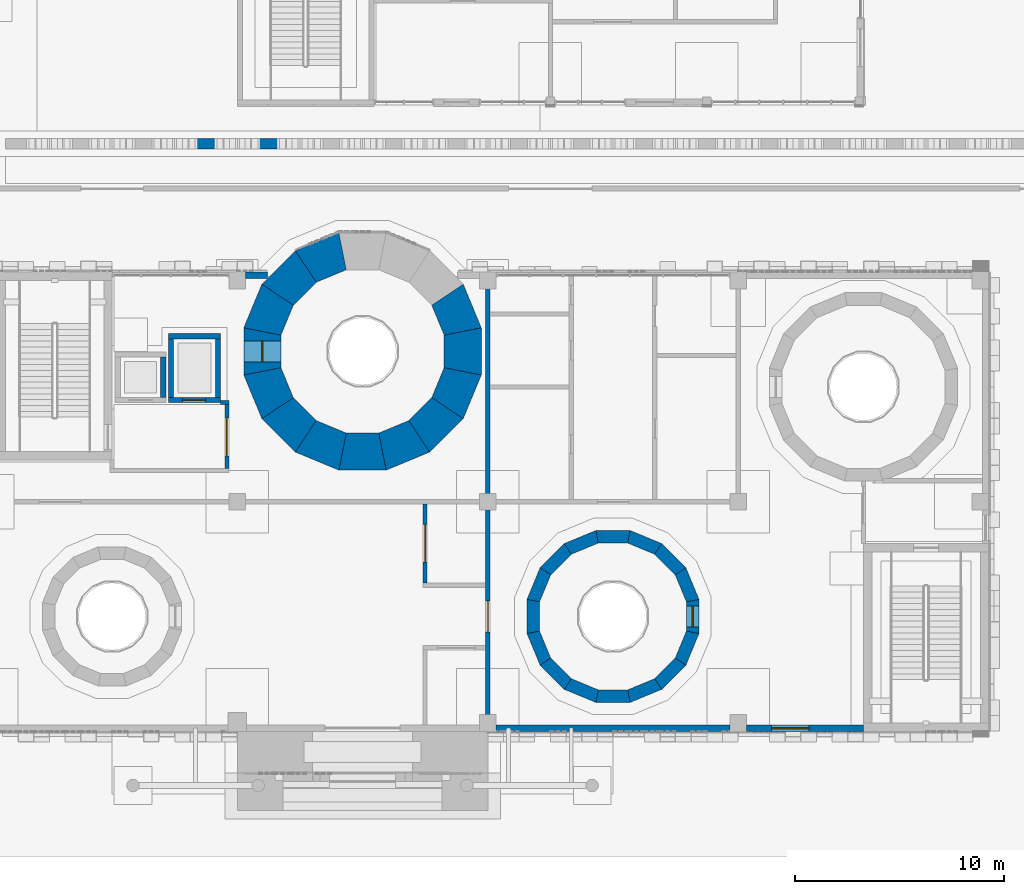
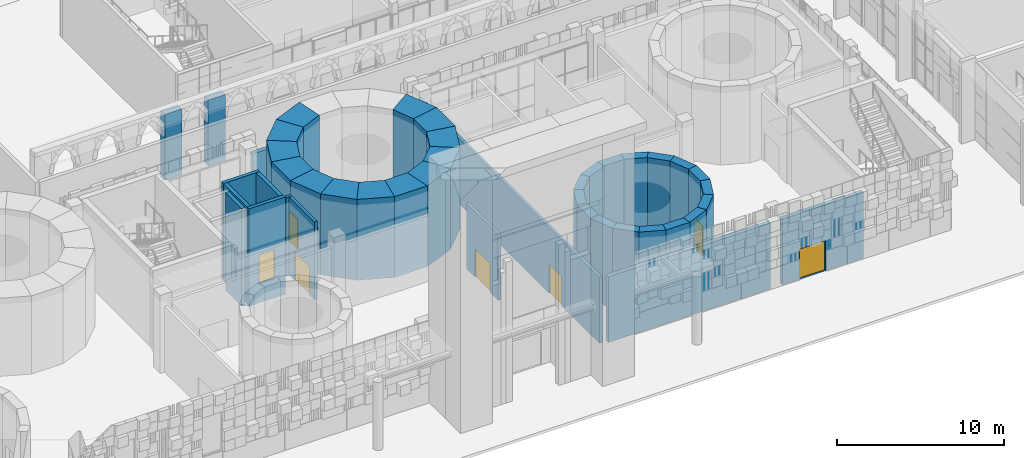
# One storey, part 49 of 125: 43 walls, 7 doors, 7 openings.
"""IFC4 building model written with IfcOpenShell, lengths in metres."""

from ifc_helpers import new_model, si_unit, direction, frame, frame_2d, origin, place, context, subcontext, project, spatial, polyline, rectangle, outline, extrude, material, layer, layer_set, type_object, element, fill, save


model = new_model("IFC4")

# Units and contexts
model_context = context("Model", 3, precision=1e-05, world=origin(), true_north=direction((0.0, 1.0)))
body_context = subcontext(model_context, "Body", "Model", "MODEL_VIEW")
ifc_project = project(units=[si_unit("LENGTHUNIT", "METRE"), si_unit("AREAUNIT", "SQUARE_METRE"), si_unit("VOLUMEUNIT", "CUBIC_METRE"), si_unit("PLANEANGLEUNIT", "RADIAN"), si_unit("MASSUNIT", "GRAM", prefix="KILO")], contexts=[model_context])

# Site, building, storey
site_placement = place(None, origin())
site = spatial("IfcSite", under=ifc_project, at=site_placement, CompositionType="ELEMENT")
building_placement = place(site_placement, origin())
building = spatial("IfcBuilding", under=site, at=building_placement, Name="Sun Court Science Centre", CompositionType="ELEMENT")
storey_placement = place(building_placement, origin())
storey = spatial("IfcBuildingStorey", under=building, at=storey_placement, Name="L00", CompositionType="ELEMENT", Elevation=0.0)

# Walls
ifc_material_1 = material(Name="Concrete C30/37", Category="concrete")
ifc_layer_1 = layer(ifc_material_1, 0.5)
ifc_layer_set_1 = layer_set([ifc_layer_1], Name="Concrete C30/37")
wall_type_1 = type_object("IfcWallType", Name="Arcade pier 500 reinforced", PredefinedType="SOLIDWALL", material=ifc_layer_set_1)
for number, where, z_axis, x_axis, name in (
    (1, (33.89990234375, 34.14990234375, 0.0), (0.0, 0.0, 1.0), (1.0, 0.0, 0.0), "Arcade pier AR1 04"),
    (2, (36.89990234375, 34.14990234375, 0.0), (0.0, 0.0, 1.0), (1.0, 0.0, 0.0), "Arcade pier AR1 05"),
):
    element("IfcWall", number, at=place(storey_placement, frame(where, z_axis=z_axis, x_axis=x_axis)), inside=storey, type_object=wall_type_1, Name=name, PredefinedType="SOLIDWALL", context=body_context, shape_type="SweptSolid", body=[
        extrude(rectangle(XDim=1.2001953125, YDim=0.5, at=frame_2d((0.60009765625, 0.0))), origin(), (0.0, 0.0, 1.0), 4.800048828125),
    ])

# Wall, opening, door
ifc_material_2 = material(Name="Clay masonry", Category="masonry")
ifc_layer_2 = layer(ifc_material_2, 0.300048828125)
ifc_layer_set_2 = layer_set([ifc_layer_2], Name="Clay masonry")
wall_type_2 = type_object("IfcWallType", Name="Clay masonry infill wall 300", PredefinedType="SOLIDWALL", material=ifc_layer_set_2)
wall_1_placement = place(storey_placement, frame((66.0, 6.14990234375, 0.0), z_axis=(0.0, 0.0, 1.0), x_axis=(-1.0, 0.0, 0.0)))
wall_1 = element("IfcWall", 3, at=wall_1_placement, inside=storey, type_object=wall_type_2, Name="External infill wall L00 south face 01", PredefinedType="SOLIDWALL", context=body_context, shape_type="SweptSolid", body=[
    extrude(rectangle(XDim=5.60009765625, YDim=0.300048828125, at=frame_2d((2.800048828125, 0.0))), origin(), (0.0, 0.0, 1.0), 4.800048828125),
])
opening_1_placement = place(wall_1_placement, frame((2.60009765625, 0.0, 0.0)))
opening_1 = element("IfcOpeningElement", 4, at=opening_1_placement, cuts=wall_1, Name="Opening D-L00-029", PredefinedType="OPENING", context=body_context, shape_type="SweptSolid", body=[
    extrude(rectangle(XDim=1.800048828125, YDim=2.199951171875, at=frame_2d((0.89990234375, 1.10009765625))), frame((0.0, 0.159912109375, 0.0), z_axis=(0.0, -1.0, 0.0), x_axis=(1.0, 0.0, 0.0)), (0.0, 0.0, 1.0), 0.320068359375),
])
ifc_material_3 = material(Name="Steel and glass", Category="steel")
door_type_1 = type_object("IfcDoorType", Name="Exterior door 1800 x 2200 double", OperationType="DOUBLE_DOOR_SINGLE_SWING", PredefinedType="DOOR", material=ifc_material_3)
door_1_placement = place(opening_1_placement, origin())
door_1 = element("IfcDoor", 5, at=door_1_placement, inside=storey, type_object=door_type_1, Name="Exterior door D-L00-029 to the street forecourt", OperationType="SINGLE_SWING_LEFT", OverallHeight=2.199951171875, OverallWidth=1.800048828125, PredefinedType="DOOR", context=body_context, shape_type="SweptSolid", body=[
    extrude(rectangle(XDim=1.800048828125, YDim=2.199951171875, at=frame_2d((0.89990234375, 1.10009765625))), frame((0.0, 0.02490234375, 0.0), z_axis=(0.0, -1.0, 0.0), x_axis=(1.0, 0.0, 0.0)), (0.0, 0.0, 1.0), 0.050048828125),
])
fill(opening_1, door_1)

# Walls
wall_2_placement = place(storey_placement, frame((59.60009765625, 6.14990234375, 0.0), z_axis=(0.0, 0.0, 1.0), x_axis=(-1.0, 0.0, 0.0)))
element("IfcWall", 6, at=wall_2_placement, inside=storey, type_object=wall_type_2, Name="External infill wall L00 south face 02", PredefinedType="SOLIDWALL", context=body_context, shape_type="SweptSolid", body=[
    extrude(rectangle(XDim=11.2001953125, YDim=0.300048828125, at=frame_2d((5.60009765625, 0.0))), origin(), (0.0, 0.0, 1.0), 4.800048828125),
])
wall_3_placement = place(storey_placement, frame((36.39990234375, 27.85009765625, 0.0), z_axis=(0.0, 0.0, 1.0), x_axis=(1.0, 0.0, 0.0)))
element("IfcWall", 7, at=wall_3_placement, inside=storey, type_object=wall_type_2, Name="External infill wall L00 north face 04", PredefinedType="SOLIDWALL", context=body_context, shape_type="SweptSolid", body=[
    extrude(rectangle(XDim=1.05517578125, YDim=0.300048828125, at=frame_2d((0.527587890625, 0.0))), origin(), (0.0, 0.0, 1.0), 4.800048828125),
])
ifc_material_4 = material(Name="Concrete block", Category="concrete")
ifc_layer_3 = layer(ifc_material_4, 0.199951171875)
ifc_layer_set_3 = layer_set([ifc_layer_3], Name="Concrete block")
wall_type_3 = type_object("IfcWallType", Name="Partition 200 block EI60", PredefinedType="PARTITIONING", material=ifc_layer_set_3)
wall_4_placement = place(storey_placement, frame((35.201904296875, 21.75, 0.0), z_axis=(0.0, 0.0, 1.0), x_axis=(1.0, 0.0, 0.0)))
element("IfcWall", 8, at=wall_4_placement, inside=storey, type_object=wall_type_3, Name="L00 partition 007", PredefinedType="PARTITIONING", context=body_context, shape_type="SweptSolid", body=[
    extrude(rectangle(XDim=0.398193359375, YDim=0.199951171875, at=frame_2d((0.19921875, 0.0))), origin(), (0.0, 0.0, 1.0), 5.699951171875),
])

# Wall, opening, door
wall_5_placement = place(storey_placement, frame((35.5, 21.64990234375, 0.0), z_axis=(0.0, 0.0, 1.0), x_axis=(0.0, -1.0, 0.0)))
wall_5 = element("IfcWall", 9, at=wall_5_placement, inside=storey, type_object=wall_type_3, Name="L00 partition 019", PredefinedType="PARTITIONING", context=body_context, shape_type="SweptSolid", body=[
    extrude(rectangle(XDim=3.0498046875, YDim=0.199951171875, at=frame_2d((1.52490234375, 0.0))), origin(), (0.0, 0.0, 1.0), 5.699951171875),
])
opening_2_placement = place(wall_5_placement, frame((0.64990234375, 0.0, 0.0)))
opening_2 = element("IfcOpeningElement", 10, at=opening_2_placement, cuts=wall_5, Name="Opening D-L00-011", PredefinedType="OPENING", context=body_context, shape_type="SweptSolid", body=[
    extrude(rectangle(XDim=1.800048828125, YDim=2.10009765625, at=frame_2d((0.89990234375, 1.050048828125))), frame((0.0, 0.10986328125, 0.0), z_axis=(0.0, -1.0, 0.0), x_axis=(1.0, 0.0, 0.0)), (0.0, 0.0, 1.0), 0.219970703125),
])
ifc_material_5 = material(Name="Steel", Category="steel")
door_type_2 = type_object("IfcDoorType", Name="Door 1800x2100 double leaf FD60", OperationType="DOUBLE_DOOR_SINGLE_SWING", PredefinedType="DOOR", material=ifc_material_5)
door_2_placement = place(opening_2_placement, origin())
door_2 = element("IfcDoor", 11, at=door_2_placement, inside=storey, type_object=door_type_2, Name="Door D-L00-011", OperationType="DOUBLE_DOOR_SINGLE_SWING", OverallHeight=2.10009765625, OverallWidth=1.800048828125, PredefinedType="DOOR", context=body_context, shape_type="SweptSolid", body=[
    extrude(rectangle(XDim=1.800048828125, YDim=2.10009765625, at=frame_2d((0.89990234375, 1.050048828125))), frame((0.0, 0.02490234375, 0.0), z_axis=(0.0, -1.0, 0.0), x_axis=(1.0, 0.0, 0.0)), (0.0, 0.0, 1.0), 0.050048828125),
])
fill(opening_2, door_2)

ifc_material_6 = material(Name="Gypsum board")
ifc_layer_4 = layer(ifc_material_6, 0.199951171875)
ifc_layer_set_4 = layer_set([ifc_layer_4], Name="Gypsum board")
wall_type_4 = type_object("IfcWallType", Name="Partition 200 stud EI30", PredefinedType="PARTITIONING", material=ifc_layer_set_4)
wall_6_placement = place(storey_placement, frame((48.0, 27.800048828125, 0.0), z_axis=(0.0, 0.0, 1.0), x_axis=(0.0, -1.0, 0.0)))
wall_6 = element("IfcWall", 12, at=wall_6_placement, inside=storey, type_object=wall_type_4, Name="L00 partition 016", PredefinedType="PARTITIONING", context=body_context, shape_type="SweptSolid", body=[
    extrude(rectangle(XDim=21.60009765625, YDim=0.199951171875, at=frame_2d((10.800048828125, 0.0))), origin(), (0.0, 0.0, 1.0), 4.800048828125),
])
opening_3_placement = place(wall_6_placement, frame((15.550048828125, 0.0, 0.0)))
opening_3 = element("IfcOpeningElement", 13, at=opening_3_placement, cuts=wall_6, Name="Opening D-L00-019", PredefinedType="OPENING", context=body_context, shape_type="SweptSolid", body=[
    extrude(rectangle(XDim=1.5, YDim=2.10009765625, at=frame_2d((0.75, 1.050048828125))), frame((0.0, 0.10986328125, 0.0), z_axis=(0.0, -1.0, 0.0), x_axis=(1.0, 0.0, 0.0)), (0.0, 0.0, 1.0), 0.219970703125),
])
ifc_material_7 = material(Name="Timber", Category="wood")
door_type_3 = type_object("IfcDoorType", Name="Door 1500x2100 double leaf", OperationType="DOUBLE_DOOR_SINGLE_SWING", PredefinedType="DOOR", material=ifc_material_7)
door_3_placement = place(opening_3_placement, origin())
door_3 = element("IfcDoor", 14, at=door_3_placement, inside=storey, type_object=door_type_3, Name="Door D-L00-019", OperationType="DOUBLE_DOOR_SINGLE_SWING", OverallHeight=2.10009765625, OverallWidth=1.5, PredefinedType="DOOR", context=body_context, shape_type="SweptSolid", body=[
    extrude(rectangle(XDim=1.5, YDim=2.10009765625, at=frame_2d((0.75, 1.050048828125))), frame((0.0, 0.02490234375, 0.0), z_axis=(0.0, -1.0, 0.0), x_axis=(1.0, 0.0, 0.0)), (0.0, 0.0, 1.0), 0.050048828125),
])
fill(opening_3, door_3)

wall_7_placement = place(storey_placement, frame((45.0, 13.10009765625, 0.0), z_axis=(0.0, 0.0, 1.0), x_axis=(0.0, 1.0, 0.0)))
wall_7 = element("IfcWall", 15, at=wall_7_placement, inside=storey, type_object=wall_type_4, Name="L00 partition 018", PredefinedType="PARTITIONING", context=body_context, shape_type="SweptSolid", body=[
    extrude(rectangle(XDim=3.7998046875, YDim=0.199951171875, at=frame_2d((1.89990234375, 0.0))), origin(), (0.0, 0.0, 1.0), 4.800048828125),
])
opening_4_placement = place(wall_7_placement, frame((1.0, 0.0, 0.0)))
opening_4 = element("IfcOpeningElement", 16, at=opening_4_placement, cuts=wall_7, Name="Opening D-L00-017", PredefinedType="OPENING", context=body_context, shape_type="SweptSolid", body=[
    extrude(rectangle(XDim=1.800048828125, YDim=2.10009765625, at=frame_2d((0.89990234375, 1.050048828125))), frame((0.0, 0.10986328125, 0.0), z_axis=(0.0, -1.0, 0.0), x_axis=(1.0, 0.0, 0.0)), (0.0, 0.0, 1.0), 0.219970703125),
])
ifc_material_8 = material(Name="Timber", Category="wood")
door_type_4 = type_object("IfcDoorType", Name="Door 1800x2100 double leaf", OperationType="DOUBLE_DOOR_SINGLE_SWING", PredefinedType="DOOR", material=ifc_material_8)
door_4_placement = place(opening_4_placement, origin())
door_4 = element("IfcDoor", 17, at=door_4_placement, inside=storey, type_object=door_type_4, Name="Door D-L00-017", OperationType="DOUBLE_DOOR_SINGLE_SWING", OverallHeight=2.10009765625, OverallWidth=1.800048828125, PredefinedType="DOOR", context=body_context, shape_type="SweptSolid", body=[
    extrude(rectangle(XDim=1.800048828125, YDim=2.10009765625, at=frame_2d((0.89990234375, 1.050048828125))), frame((0.0, 0.02490234375, 0.0), z_axis=(0.0, -1.0, 0.0), x_axis=(1.0, 0.0, 0.0)), (0.0, 0.0, 1.0), 0.050048828125),
])
fill(opening_4, door_4)

# Walls
ifc_material_9 = material(Name="Concrete C30/37", Category="concrete")
ifc_layer_5 = layer(ifc_material_9, 1.777099609375)
ifc_layer_set_5 = layer_set([ifc_layer_5], Name="Concrete C30/37")
wall_type_5 = type_object("IfcWallType", Name="RC cone ring wall 1777", PredefinedType="SHEAR", material=ifc_layer_set_5)
for number, where, z_axis, x_axis, name in (
    (18, (46.86767578125, 24.991455078125, -0.199951171875), (0.0, 0.0, 1.0), (-0.382653510256, 0.923891926087, 0.0), "Cone 4 ring wall L00 segment 1"),
    (19, (41.20849609375, 29.067626953125, -0.199951171875), (0.0, 0.0, 1.0), (-0.923891926087, -0.382653510256, 0.0), "Cone 4 ring wall L00 segment 5"),
):
    element("IfcWall", number, at=place(storey_placement, frame(where, z_axis=z_axis, x_axis=x_axis)), inside=storey, type_object=wall_type_5, Name=name, PredefinedType="SHEAR", context=body_context, shape_type="SweptSolid", body=[
        extrude(outline(polyline([(0.0, -0.888671875), (2.26318359375, -0.888427734375), (1.90966796875, 0.888427734375), (0.353515625, 0.888427734375), (0.0, -0.888671875)])), origin(), (0.0, 0.0, 1.0), 5.89990234375),
    ])
wall_8_placement = place(storey_placement, frame((39.406005859375, 28.394287109375, -0.199951171875), z_axis=(0.0, 0.0, 1.0), x_axis=(-0.707106781187, -0.707106781187, 0.0)))
element("IfcWall", 20, at=wall_8_placement, inside=storey, type_object=wall_type_5, Name="Cone 4 ring wall L00 segment 6", PredefinedType="SHEAR", context=body_context, shape_type="SweptSolid", body=[
    extrude(outline(polyline([(0.000244140625, -0.888427734375), (2.262939453125, -0.888427734375), (1.90966796875, 0.888427734375), (0.353515625, 0.888427734375), (0.000244140625, -0.888427734375)])), origin(), (0.0, 0.0, 1.0), 5.89990234375),
])
wall_9_placement = place(storey_placement, frame((37.998291015625, 27.082275390625, -0.199951171875), z_axis=(0.0, 0.0, 1.0), x_axis=(-0.382653510256, -0.923891926087, 0.0)))
element("IfcWall", 21, at=wall_9_placement, inside=storey, type_object=wall_type_5, Name="Cone 4 ring wall L00 segment 7", PredefinedType="SHEAR", context=body_context, shape_type="SweptSolid", body=[
    extrude(outline(polyline([(-0.000244140625, -0.888427734375), (2.262939453125, -0.888671875), (1.90966796875, 0.888427734375), (0.353515625, 0.888427734375), (-0.000244140625, -0.888427734375)])), origin(), (0.0, 0.0, 1.0), 5.89990234375),
])

# Wall, opening, door
wall_10_placement = place(storey_placement, frame((37.199951171875, 25.33154296875, -0.199951171875), z_axis=(0.0, 0.0, 1.0), x_axis=(0.0, -1.0, 0.0)))
wall_10 = element("IfcWall", 22, at=wall_10_placement, inside=storey, type_object=wall_type_5, Name="Cone 4 ring wall L00 segment 8", PredefinedType="SHEAR", context=body_context, shape_type="SweptSolid", body=[
    extrude(outline(polyline([(0.0, -0.888671875), (2.262939453125, -0.888671875), (1.90966796875, 0.888427734375), (0.353515625, 0.888427734375), (0.0, -0.888671875)])), origin(), (0.0, 0.0, 1.0), 5.89990234375),
])
opening_5_placement = place(wall_10_placement, frame((0.631591796875, 0.0, 0.199951171875)))
opening_5 = element("IfcOpeningElement", 23, at=opening_5_placement, cuts=wall_10, Name="Opening D-L00-024", PredefinedType="OPENING", context=body_context, shape_type="SweptSolid", body=[
    extrude(rectangle(XDim=1.0, YDim=2.199951171875, at=frame_2d((0.5, 1.10009765625))), frame((0.0, 0.8984375, 0.0), z_axis=(0.0, -1.0, 0.0), x_axis=(1.0, 0.0, 0.0)), (0.0, 0.0, 1.0), 1.796875),
])
ifc_material_10 = material(Name="Timber", Category="wood")
door_type_5 = type_object("IfcDoorType", Name="Door 1000x2200 single leaf", OperationType="NOTDEFINED", PredefinedType="DOOR", material=ifc_material_10)
door_5_placement = place(opening_5_placement, origin())
door_5 = element("IfcDoor", 24, at=door_5_placement, inside=storey, type_object=door_type_5, Name="Door D-L00-024", OperationType="SINGLE_SWING_LEFT", OverallHeight=2.199951171875, OverallWidth=1.0, PredefinedType="DOOR", context=body_context, shape_type="SweptSolid", body=[
    extrude(rectangle(XDim=1.0, YDim=2.199951171875, at=frame_2d((0.5, 1.10009765625))), frame((0.0, 0.02490234375, 0.0), z_axis=(0.0, -1.0, 0.0), x_axis=(1.0, 0.0, 0.0)), (0.0, 0.0, 1.0), 0.050048828125),
])
fill(opening_5, door_5)

# Walls
wall_11_placement = place(storey_placement, frame((37.13232421875, 23.408447265625, -0.199951171875), z_axis=(0.0, 0.0, 1.0), x_axis=(0.382653510256, -0.923891926087, 0.0)))
element("IfcWall", 25, at=wall_11_placement, inside=storey, type_object=wall_type_5, Name="Cone 4 ring wall L00 segment 9", PredefinedType="SHEAR", context=body_context, shape_type="SweptSolid", body=[
    extrude(outline(polyline([(-0.000244140625, -0.888671875), (2.262939453125, -0.888427734375), (1.90966796875, 0.888427734375), (0.353515625, 0.888427734375), (-0.000244140625, -0.888671875)])), origin(), (0.0, 0.0, 1.0), 5.89990234375),
])
wall_12_placement = place(storey_placement, frame((37.8056640625, 21.60595703125, -0.199951171875), z_axis=(0.0, 0.0, 1.0), x_axis=(0.707106781187, -0.707106781187, 0.0)))
element("IfcWall", 26, at=wall_12_placement, inside=storey, type_object=wall_type_5, Name="Cone 4 ring wall L00 segment 10", PredefinedType="SHEAR", context=body_context, shape_type="SweptSolid", body=[
    extrude(outline(polyline([(0.0, -0.888427734375), (2.262939453125, -0.888427734375), (1.90966796875, 0.888427734375), (0.353515625, 0.888427734375), (0.0, -0.888427734375)])), origin(), (0.0, 0.0, 1.0), 5.89990234375),
])
wall_13_placement = place(storey_placement, frame((39.11767578125, 20.1982421875, -0.199951171875), z_axis=(0.0, 0.0, 1.0), x_axis=(0.923891926087, -0.382653510256, 0.0)))
element("IfcWall", 27, at=wall_13_placement, inside=storey, type_object=wall_type_5, Name="Cone 4 ring wall L00 segment 11", PredefinedType="SHEAR", context=body_context, shape_type="SweptSolid", body=[
    extrude(outline(polyline([(-0.000244140625, -0.888427734375), (2.262939453125, -0.888427734375), (1.90966796875, 0.888427734375), (0.353515625, 0.888427734375), (-0.000244140625, -0.888427734375)])), origin(), (0.0, 0.0, 1.0), 5.89990234375),
])
wall_14_placement = place(storey_placement, frame((40.868408203125, 19.39990234375, -0.199951171875), z_axis=(0.0, 0.0, 1.0), x_axis=(1.0, 0.0, 0.0)))
element("IfcWall", 28, at=wall_14_placement, inside=storey, type_object=wall_type_5, Name="Cone 4 ring wall L00 segment 12", PredefinedType="SHEAR", context=body_context, shape_type="SweptSolid", body=[
    extrude(outline(polyline([(0.0, -0.888427734375), (2.26318359375, -0.888427734375), (1.90966796875, 0.888427734375), (0.353515625, 0.888427734375), (0.0, -0.888427734375)])), origin(), (0.0, 0.0, 1.0), 5.89990234375),
])
for number, where, z_axis, x_axis, name in (
    (29, (42.79150390625, 19.332275390625, -0.199951171875), (0.0, 0.0, 1.0), (0.923891926087, 0.382653510256, 0.0), "Cone 4 ring wall L00 segment 13"),
    (30, (44.593994140625, 20.005615234375, -0.199951171875), (0.0, 0.0, 1.0), (0.707106781187, 0.707106781187, 0.0), "Cone 4 ring wall L00 segment 14"),
):
    element("IfcWall", number, at=place(storey_placement, frame(where, z_axis=z_axis, x_axis=x_axis)), inside=storey, type_object=wall_type_5, Name=name, PredefinedType="SHEAR", context=body_context, shape_type="SweptSolid", body=[
        extrude(outline(polyline([(0.000244140625, -0.888427734375), (2.26318359375, -0.888427734375), (1.90966796875, 0.888427734375), (0.353515625, 0.888427734375), (0.000244140625, -0.888427734375)])), origin(), (0.0, 0.0, 1.0), 5.89990234375),
    ])
wall_15_placement = place(storey_placement, frame((46.001708984375, 21.317626953125, -0.199951171875), z_axis=(0.0, 0.0, 1.0), x_axis=(0.382653510256, 0.923891926087, 0.0)))
element("IfcWall", 31, at=wall_15_placement, inside=storey, type_object=wall_type_5, Name="Cone 4 ring wall L00 segment 15", PredefinedType="SHEAR", context=body_context, shape_type="SweptSolid", body=[
    extrude(outline(polyline([(0.0, -0.888427734375), (2.26318359375, -0.888671875), (1.90966796875, 0.888427734375), (0.353515625, 0.888427734375), (0.0, -0.888427734375)])), origin(), (0.0, 0.0, 1.0), 5.89990234375),
])
wall_16_placement = place(storey_placement, frame((46.800048828125, 23.068359375, -0.199951171875), z_axis=(0.0, 0.0, 1.0), x_axis=(0.0, 1.0, 0.0)))
element("IfcWall", 32, at=wall_16_placement, inside=storey, type_object=wall_type_5, Name="Cone 4 ring wall L00 segment 16", PredefinedType="SHEAR", context=body_context, shape_type="SweptSolid", body=[
    extrude(outline(polyline([(0.000244140625, -0.888671875), (2.26318359375, -0.888671875), (1.90966796875, 0.888427734375), (0.353515625, 0.888427734375), (0.000244140625, -0.888671875)])), origin(), (0.0, 0.0, 1.0), 5.89990234375),
])
ifc_material_11 = material(Name="Concrete C30/37", Category="concrete")
ifc_layer_6 = layer(ifc_material_11, 0.60009765625)
ifc_layer_set_6 = layer_set([ifc_layer_6], Name="Concrete C30/37")
wall_type_6 = type_object("IfcWallType", Name="RC cone ring wall 600", PredefinedType="SHEAR", material=ifc_layer_set_6)
wall_17_placement = place(storey_placement, frame((57.842041015625, 12.20458984375, -0.199951171875), z_axis=(0.0, 0.0, 1.0), x_axis=(-0.382614973625, 0.923907886078, 0.0)))
element("IfcWall", 33, at=wall_17_placement, inside=storey, type_object=wall_type_6, Name="Cone 5 ring wall L00 segment 1", PredefinedType="SHEAR", context=body_context, shape_type="SweptSolid", body=[
    extrude(outline(polyline([(0.0, -0.300048828125), (1.638916015625, -0.300048828125), (1.519287109375, 0.30029296875), (0.119140625, 0.300048828125), (0.0, -0.300048828125)])), origin(), (0.0, 0.0, 1.0), 5.89990234375),
])
wall_18_placement = place(storey_placement, frame((57.280029296875, 13.621337890625, -0.199951171875), z_axis=(0.0, 0.0, 1.0), x_axis=(-0.707106781187, 0.707106781187, 0.0)))
element("IfcWall", 34, at=wall_18_placement, inside=storey, type_object=wall_type_6, Name="Cone 5 ring wall L00 segment 2", PredefinedType="SHEAR", context=body_context, shape_type="SweptSolid", body=[
    extrude(outline(polyline([(0.0, -0.300048828125), (1.638671875, -0.300048828125), (1.519287109375, 0.30029296875), (0.119384765625, 0.30029296875), (0.0, -0.300048828125)])), origin(), (0.0, 0.0, 1.0), 5.89990234375),
])
wall_19_placement = place(storey_placement, frame((56.218505859375, 14.715087890625, -0.199951171875), z_axis=(0.0, 0.0, 1.0), x_axis=(-0.923907886078, 0.382614973625, 0.0)))
element("IfcWall", 35, at=wall_19_placement, inside=storey, type_object=wall_type_6, Name="Cone 5 ring wall L00 segment 3", PredefinedType="SHEAR", context=body_context, shape_type="SweptSolid", body=[
    extrude(outline(polyline([(-0.000244140625, -0.300048828125), (1.638671875, -0.300048828125), (1.519287109375, 0.300048828125), (0.119384765625, 0.30029296875), (-0.000244140625, -0.300048828125)])), origin(), (0.0, 0.0, 1.0), 5.89990234375),
])
wall_20_placement = place(storey_placement, frame((54.8193359375, 15.3193359375, -0.199951171875), z_axis=(0.0, 0.0, 1.0), x_axis=(-1.0, 0.0, 0.0)))
element("IfcWall", 36, at=wall_20_placement, inside=storey, type_object=wall_type_6, Name="Cone 5 ring wall L00 segment 4", PredefinedType="SHEAR", context=body_context, shape_type="SweptSolid", body=[
    extrude(outline(polyline([(0.0, -0.300048828125), (1.638671875, -0.300048828125), (1.519287109375, 0.300048828125), (0.119384765625, 0.300048828125), (0.0, -0.300048828125)])), origin(), (0.0, 0.0, 1.0), 5.89990234375),
])
wall_21_placement = place(storey_placement, frame((53.29541015625, 15.342041015625, -0.199951171875), z_axis=(0.0, 0.0, 1.0), x_axis=(-0.923907886078, -0.382614973625, 0.0)))
element("IfcWall", 37, at=wall_21_placement, inside=storey, type_object=wall_type_6, Name="Cone 5 ring wall L00 segment 5", PredefinedType="SHEAR", context=body_context, shape_type="SweptSolid", body=[
    extrude(outline(polyline([(0.0, -0.300048828125), (1.638916015625, -0.300048828125), (1.519287109375, 0.30029296875), (0.119140625, 0.300048828125), (0.0, -0.300048828125)])), origin(), (0.0, 0.0, 1.0), 5.89990234375),
])
wall_22_placement = place(storey_placement, frame((51.878662109375, 14.780029296875, -0.199951171875), z_axis=(0.0, 0.0, 1.0), x_axis=(-0.707106781187, -0.707106781187, 0.0)))
element("IfcWall", 38, at=wall_22_placement, inside=storey, type_object=wall_type_6, Name="Cone 5 ring wall L00 segment 6", PredefinedType="SHEAR", context=body_context, shape_type="SweptSolid", body=[
    extrude(outline(polyline([(0.0, -0.300048828125), (1.638671875, -0.300048828125), (1.519287109375, 0.30029296875), (0.119384765625, 0.30029296875), (0.0, -0.300048828125)])), origin(), (0.0, 0.0, 1.0), 5.89990234375),
])
wall_23_placement = place(storey_placement, frame((50.784912109375, 13.718505859375, -0.199951171875), z_axis=(0.0, 0.0, 1.0), x_axis=(-0.382614973625, -0.923907886078, 0.0)))
element("IfcWall", 39, at=wall_23_placement, inside=storey, type_object=wall_type_6, Name="Cone 5 ring wall L00 segment 7", PredefinedType="SHEAR", context=body_context, shape_type="SweptSolid", body=[
    extrude(outline(polyline([(-0.000244140625, -0.300048828125), (1.638671875, -0.300048828125), (1.519287109375, 0.300048828125), (0.119384765625, 0.30029296875), (-0.000244140625, -0.300048828125)])), origin(), (0.0, 0.0, 1.0), 5.89990234375),
])
wall_24_placement = place(storey_placement, frame((50.1806640625, 12.3193359375, -0.199951171875), z_axis=(0.0, 0.0, 1.0), x_axis=(0.0, -1.0, 0.0)))
element("IfcWall", 40, at=wall_24_placement, inside=storey, type_object=wall_type_6, Name="Cone 5 ring wall L00 segment 8", PredefinedType="SHEAR", context=body_context, shape_type="SweptSolid", body=[
    extrude(outline(polyline([(0.0, -0.300048828125), (1.638671875, -0.300048828125), (1.519287109375, 0.300048828125), (0.119384765625, 0.300048828125), (0.0, -0.300048828125)])), origin(), (0.0, 0.0, 1.0), 5.89990234375),
])
wall_25_placement = place(storey_placement, frame((50.157958984375, 10.79541015625, -0.199951171875), z_axis=(0.0, 0.0, 1.0), x_axis=(0.382614973625, -0.923907886078, 0.0)))
element("IfcWall", 41, at=wall_25_placement, inside=storey, type_object=wall_type_6, Name="Cone 5 ring wall L00 segment 9", PredefinedType="SHEAR", context=body_context, shape_type="SweptSolid", body=[
    extrude(outline(polyline([(0.0, -0.300048828125), (1.638916015625, -0.300048828125), (1.519287109375, 0.30029296875), (0.119140625, 0.300048828125), (0.0, -0.300048828125)])), origin(), (0.0, 0.0, 1.0), 5.89990234375),
])
wall_26_placement = place(storey_placement, frame((50.719970703125, 9.378662109375, -0.199951171875), z_axis=(0.0, 0.0, 1.0), x_axis=(0.707106781187, -0.707106781187, 0.0)))
element("IfcWall", 42, at=wall_26_placement, inside=storey, type_object=wall_type_6, Name="Cone 5 ring wall L00 segment 10", PredefinedType="SHEAR", context=body_context, shape_type="SweptSolid", body=[
    extrude(outline(polyline([(0.0, -0.300048828125), (1.638671875, -0.300048828125), (1.519287109375, 0.30029296875), (0.119384765625, 0.30029296875), (0.0, -0.300048828125)])), origin(), (0.0, 0.0, 1.0), 5.89990234375),
])
wall_27_placement = place(storey_placement, frame((51.781494140625, 8.284912109375, -0.199951171875), z_axis=(0.0, 0.0, 1.0), x_axis=(0.923907886078, -0.382614973625, 0.0)))
element("IfcWall", 43, at=wall_27_placement, inside=storey, type_object=wall_type_6, Name="Cone 5 ring wall L00 segment 11", PredefinedType="SHEAR", context=body_context, shape_type="SweptSolid", body=[
    extrude(outline(polyline([(-0.000244140625, -0.300048828125), (1.638671875, -0.300048828125), (1.519287109375, 0.300048828125), (0.119384765625, 0.30029296875), (-0.000244140625, -0.300048828125)])), origin(), (0.0, 0.0, 1.0), 5.89990234375),
])
wall_28_placement = place(storey_placement, frame((53.1806640625, 7.6806640625, -0.199951171875), z_axis=(0.0, 0.0, 1.0), x_axis=(1.0, 0.0, 0.0)))
element("IfcWall", 44, at=wall_28_placement, inside=storey, type_object=wall_type_6, Name="Cone 5 ring wall L00 segment 12", PredefinedType="SHEAR", context=body_context, shape_type="SweptSolid", body=[
    extrude(outline(polyline([(0.0, -0.300048828125), (1.638671875, -0.300048828125), (1.519287109375, 0.300048828125), (0.119384765625, 0.300048828125), (0.0, -0.300048828125)])), origin(), (0.0, 0.0, 1.0), 5.89990234375),
])
wall_29_placement = place(storey_placement, frame((54.70458984375, 7.657958984375, -0.199951171875), z_axis=(0.0, 0.0, 1.0), x_axis=(0.923907886078, 0.382614973625, 0.0)))
element("IfcWall", 45, at=wall_29_placement, inside=storey, type_object=wall_type_6, Name="Cone 5 ring wall L00 segment 13", PredefinedType="SHEAR", context=body_context, shape_type="SweptSolid", body=[
    extrude(outline(polyline([(0.0, -0.300048828125), (1.638916015625, -0.300048828125), (1.519287109375, 0.30029296875), (0.119140625, 0.300048828125), (0.0, -0.300048828125)])), origin(), (0.0, 0.0, 1.0), 5.89990234375),
])
wall_30_placement = place(storey_placement, frame((56.121337890625, 8.219970703125, -0.199951171875), z_axis=(0.0, 0.0, 1.0), x_axis=(0.707106781187, 0.707106781187, 0.0)))
element("IfcWall", 46, at=wall_30_placement, inside=storey, type_object=wall_type_6, Name="Cone 5 ring wall L00 segment 14", PredefinedType="SHEAR", context=body_context, shape_type="SweptSolid", body=[
    extrude(outline(polyline([(0.0, -0.300048828125), (1.638671875, -0.300048828125), (1.519287109375, 0.30029296875), (0.119384765625, 0.30029296875), (0.0, -0.300048828125)])), origin(), (0.0, 0.0, 1.0), 5.89990234375),
])
wall_31_placement = place(storey_placement, frame((57.215087890625, 9.281494140625, -0.199951171875), z_axis=(0.0, 0.0, 1.0), x_axis=(0.382614973625, 0.923907886078, 0.0)))
element("IfcWall", 47, at=wall_31_placement, inside=storey, type_object=wall_type_6, Name="Cone 5 ring wall L00 segment 15", PredefinedType="SHEAR", context=body_context, shape_type="SweptSolid", body=[
    extrude(outline(polyline([(-0.000244140625, -0.300048828125), (1.638671875, -0.300048828125), (1.519287109375, 0.300048828125), (0.119384765625, 0.30029296875), (-0.000244140625, -0.300048828125)])), origin(), (0.0, 0.0, 1.0), 5.89990234375),
])

# Wall, opening, door
wall_32_placement = place(storey_placement, frame((57.8193359375, 10.6806640625, -0.199951171875), z_axis=(0.0, 0.0, 1.0), x_axis=(0.0, 1.0, 0.0)))
wall_32 = element("IfcWall", 48, at=wall_32_placement, inside=storey, type_object=wall_type_6, Name="Cone 5 ring wall L00 segment 16", PredefinedType="SHEAR", context=body_context, shape_type="SweptSolid", body=[
    extrude(outline(polyline([(0.0, -0.300048828125), (1.638671875, -0.300048828125), (1.519287109375, 0.300048828125), (0.119384765625, 0.300048828125), (0.0, -0.300048828125)])), origin(), (0.0, 0.0, 1.0), 5.89990234375),
])
opening_6_placement = place(wall_32_placement, frame((0.3193359375, 0.0, 0.199951171875)))
opening_6 = element("IfcOpeningElement", 49, at=opening_6_placement, cuts=wall_32, Name="Opening D-L00-025", PredefinedType="OPENING", context=body_context, shape_type="SweptSolid", body=[
    extrude(rectangle(XDim=1.0, YDim=2.199951171875, at=frame_2d((0.5, 1.10009765625))), frame((0.0, 0.31005859375, 0.0), z_axis=(0.0, -1.0, 0.0), x_axis=(1.0, 0.0, 0.0)), (0.0, 0.0, 1.0), 0.6201171875),
])
door_6_placement = place(opening_6_placement, origin())
door_6 = element("IfcDoor", 50, at=door_6_placement, inside=storey, type_object=door_type_5, Name="Door D-L00-025", OperationType="SINGLE_SWING_LEFT", OverallHeight=2.199951171875, OverallWidth=1.0, PredefinedType="DOOR", context=body_context, shape_type="SweptSolid", body=[
    extrude(rectangle(XDim=1.0, YDim=2.199951171875, at=frame_2d((0.5, 1.10009765625))), frame((0.0, 0.02490234375, 0.0), z_axis=(0.0, -1.0, 0.0), x_axis=(1.0, 0.0, 0.0)), (0.0, 0.0, 1.0), 0.050048828125),
])
fill(opening_6, door_6)

# Wall
ifc_material_12 = material(Name="Concrete C30/37", Category="concrete")
ifc_layer_7 = layer(ifc_material_12, 0.25)
ifc_layer_set_7 = layer_set([ifc_layer_7], Name="Concrete C30/37")
wall_type_7 = type_object("IfcWallType", Name="RC shaft wall 250", PredefinedType="SHEAR", material=ifc_layer_set_7)
wall_33_placement = place(storey_placement, frame((32.447509765625, 21.99755859375, -1.39990234375), z_axis=(0.0, 0.0, 1.0), x_axis=(0.0, 1.0, 0.0)))
element("IfcWall", 51, at=wall_33_placement, inside=storey, type_object=wall_type_7, Name="Lift core LB1 wall E, L00", PredefinedType="SHEAR", context=body_context, shape_type="SweptSolid", body=[
    extrude(rectangle(XDim=1.925048828125, YDim=0.25, at=frame_2d((0.96240234375, 0.0))), origin(), (0.0, 0.0, 1.0), 7.099853515625),
])

# Wall, opening, door
wall_34_placement = place(storey_placement, frame((32.699951171875, 21.875, -1.39990234375), z_axis=(0.0, 0.0, 1.0), x_axis=(1.0, 0.0, 0.0)))
wall_34 = element("IfcWall", 52, at=wall_34_placement, inside=storey, type_object=wall_type_7, Name="Lift core LB2 wall S, L00", PredefinedType="SHEAR", context=body_context, shape_type="SweptSolid", body=[
    extrude(rectangle(XDim=2.5, YDim=0.25, at=frame_2d((1.25, 0.0))), origin(), (0.0, 0.0, 1.0), 7.099853515625),
])
opening_7_placement = place(wall_34_placement, frame((0.674072265625, 0.0, 1.39990234375)))
opening_7 = element("IfcOpeningElement", 53, at=opening_7_placement, cuts=wall_34, Name="Opening D-L00-010", PredefinedType="OPENING", context=body_context, shape_type="SweptSolid", body=[
    extrude(rectangle(XDim=1.10009765625, YDim=2.10009765625, at=frame_2d((0.550048828125, 1.050048828125))), frame((0.0, 0.135009765625, 0.0), z_axis=(0.0, -1.0, 0.0), x_axis=(1.0, 0.0, 0.0)), (0.0, 0.0, 1.0), 0.27001953125),
])
ifc_material_13 = material(Name="Steel", Category="steel")
door_type_6 = type_object("IfcDoorType", Name="Lift landing door 1100x2100 sliding", OperationType="DOUBLE_DOOR_SLIDING", PredefinedType="DOOR", material=ifc_material_13)
door_7_placement = place(opening_7_placement, origin())
door_7 = element("IfcDoor", 54, at=door_7_placement, inside=storey, type_object=door_type_6, Name="Lift landing door D-L00-010", OperationType="DOUBLE_DOOR_SLIDING", OverallHeight=2.10009765625, OverallWidth=1.10009765625, PredefinedType="DOOR", context=body_context, shape_type="SweptSolid", body=[
    extrude(rectangle(XDim=1.10009765625, YDim=2.10009765625, at=frame_2d((0.550048828125, 1.050048828125))), frame((0.0, 0.02490234375, 0.0), z_axis=(0.0, -1.0, 0.0), x_axis=(1.0, 0.0, 0.0)), (0.0, 0.0, 1.0), 0.050048828125),
])
fill(opening_7, door_7)

# Walls
wall_35_placement = place(storey_placement, frame((35.074951171875, 22.0, -1.39990234375), z_axis=(0.0, 0.0, 1.0), x_axis=(0.0, 1.0, 0.0)))
element("IfcWall", 55, at=wall_35_placement, inside=storey, type_object=wall_type_7, Name="Lift core LB2 wall E, L00", PredefinedType="SHEAR", context=body_context, shape_type="SweptSolid", body=[
    extrude(rectangle(XDim=2.800048828125, YDim=0.25, at=frame_2d((1.39990234375, 0.0))), origin(), (0.0, 0.0, 1.0), 7.099853515625),
])
wall_36_placement = place(storey_placement, frame((32.699951171875, 24.925048828125, -1.39990234375), z_axis=(0.0, 0.0, 1.0), x_axis=(1.0, 0.0, 0.0)))
element("IfcWall", 56, at=wall_36_placement, inside=storey, type_object=wall_type_7, Name="Lift core LB2 wall N, L00", PredefinedType="SHEAR", context=body_context, shape_type="SweptSolid", body=[
    extrude(rectangle(XDim=2.5, YDim=0.25, at=frame_2d((1.25, 0.0))), origin(), (0.0, 0.0, 1.0), 7.099853515625),
])
wall_37_placement = place(storey_placement, frame((32.824951171875, 22.0, -1.39990234375), z_axis=(0.0, 0.0, 1.0), x_axis=(0.0, 1.0, 0.0)))
element("IfcWall", 57, at=wall_37_placement, inside=storey, type_object=wall_type_7, Name="Lift core LB2 wall W, L00", PredefinedType="SHEAR", context=body_context, shape_type="SweptSolid", body=[
    extrude(rectangle(XDim=2.800048828125, YDim=0.25, at=frame_2d((1.39990234375, 0.0))), origin(), (0.0, 0.0, 1.0), 7.099853515625),
])

save(model, "model.ifc")
